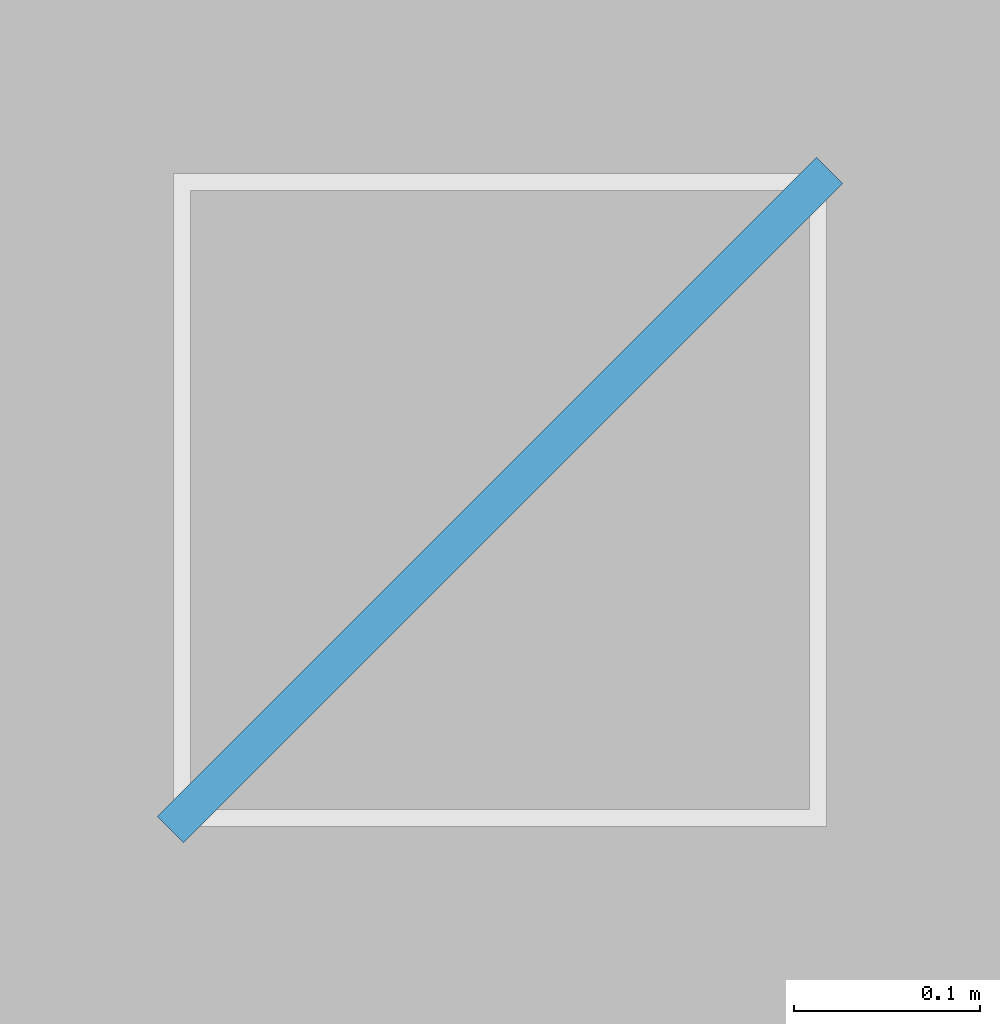
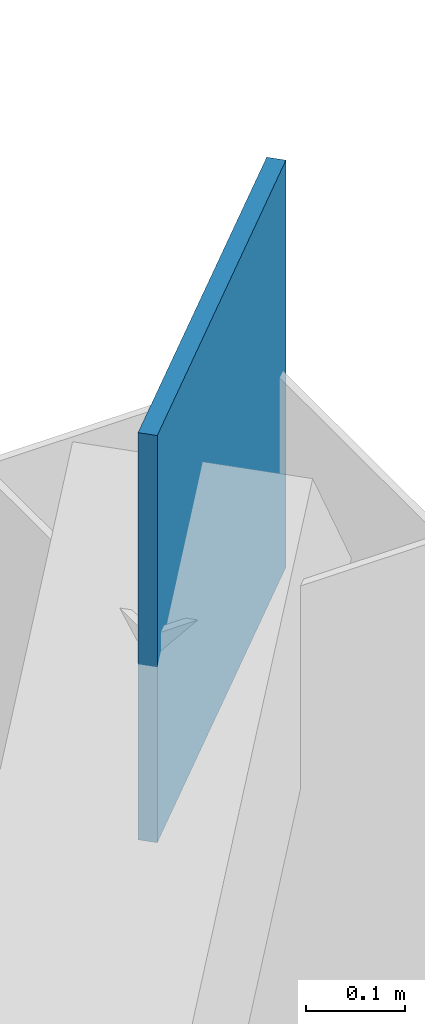
# One storey, part 146 of 163: 1 discrete accessory.
"""IFC4 building model written with IfcOpenShell, lengths in metres."""

import ifcopenshell
import ifcopenshell.guid

model = None  # the IFC model being written
_history = None  # IfcOwnerHistory: only IFC2X3 demands one
_inside = {}  # id of a spatial element -> (the spatial element, [elements in it])
_under = {}  # id of a project, library or spatial element -> (it, [spatial elements below it])
_declared = {}  # id of a project -> (the project, [libraries it declares])
_typed = {}  # id of a type object -> (the type object, [elements of that type])
_made_of = {}  # id of a material, layer set ... -> (it, [elements and type objects made of it])


def new_model(schema):
    """Start an empty IFC model of exactly this schema.

    Asked for "IFC4X3", IfcOpenShell would pick the latest addendum, in which some entities
    have other attributes; the version numbers below select the first issue.
    IFC2X3 requires an IfcOwnerHistory on every rooted entity: one is made here for all.
    """
    global model, _history
    if schema == "IFC4X3":
        model = ifcopenshell.file(schema_version=(4, 3, 0, 0))
    else:
        model = ifcopenshell.file(schema=schema)
    _inside.clear()
    _under.clear()
    _declared.clear()
    _typed.clear()
    _made_of.clear()
    _history = None
    if model.schema == "IFC2X3":
        org = make("IfcOrganization", Name="unknown")
        user = make(
            "IfcPersonAndOrganization",
            ThePerson=make("IfcPerson", FamilyName="unknown"),
            TheOrganization=org,
        )
        app = make(
            "IfcApplication",
            ApplicationDeveloper=org,
            Version="unknown",
            ApplicationFullName="unknown",
            ApplicationIdentifier="unknown",
        )
        _history = make(
            "IfcOwnerHistory",
            OwningUser=user,
            OwningApplication=app,
            ChangeAction="ADDED",
            CreationDate=0,
        )
    return model


def make(cls, **values):
    """One entity of the class cls with the attributes given. An attribute that is None is left unset."""
    return model.create_entity(
        cls, **{name: value for name, value in values.items() if value is not None}
    )


def rooted(cls, **values):
    """An entity with a GlobalId (a new one), such as an element, a storey or a relation."""
    return make(cls, GlobalId=ifcopenshell.guid.new(), OwnerHistory=_history, **values)


def si_unit(unit_type, name, prefix=None):
    """IfcSIUnit, for example si_unit("LENGTHUNIT", "METRE", prefix="MILLI")."""
    return make("IfcSIUnit", UnitType=unit_type, Prefix=prefix, Name=name)


def assignment(units):
    """IfcUnitAssignment: the units of a project."""
    return None if units is None else make("IfcUnitAssignment", Units=units)


def point(xyz):
    """IfcCartesianPoint."""
    return None if xyz is None else make("IfcCartesianPoint", Coordinates=xyz)


def direction(xyz):
    """IfcDirection."""
    return None if xyz is None else make("IfcDirection", DirectionRatios=xyz)


def frame(location, z_axis=None, x_axis=None):
    """IfcAxis2Placement3D, a coordinate frame: its origin and axes. An axis left out is left unset."""
    return make(
        "IfcAxis2Placement3D",
        Location=point(location),
        Axis=direction(z_axis),
        RefDirection=direction(x_axis),
    )


def frame_2d(location, x_axis=None):
    """IfcAxis2Placement2D, a coordinate frame in the plane: its origin and x axis."""
    return make(
        "IfcAxis2Placement2D", Location=point(location), RefDirection=direction(x_axis)
    )


def origin():
    """The frame at (0, 0, 0) with its axes left unset."""
    return frame((0.0, 0.0, 0.0))


def origin_2d():
    """The frame at (0, 0) in the plane with its x axis left unset."""
    return frame_2d((0.0, 0.0))


def place(relative_to, where):
    """IfcLocalPlacement: puts the frame where relative to a parent placement (None: the world)."""
    return make(
        "IfcLocalPlacement", PlacementRelTo=relative_to, RelativePlacement=where
    )


def context(
    kind, dimensions, precision=None, world=None, true_north=None, identifier=None
):
    """IfcGeometricRepresentationContext, for example the 3D "Model" context."""
    return make(
        "IfcGeometricRepresentationContext",
        ContextIdentifier=identifier,
        ContextType=kind,
        CoordinateSpaceDimension=dimensions,
        Precision=precision,
        WorldCoordinateSystem=world,
        TrueNorth=true_north,
    )


def subcontext(parent, identifier, kind, view, scale=None):
    """IfcGeometricRepresentationSubContext, for example "Body" below "Model"."""
    return make(
        "IfcGeometricRepresentationSubContext",
        ContextIdentifier=identifier,
        ContextType=kind,
        ParentContext=parent,
        TargetScale=scale,
        TargetView=view,
    )


def project(units=None, contexts=None):
    """IfcProject with its units and contexts."""
    return rooted(
        "IfcProject",
        Name="project",
        RepresentationContexts=contexts,
        UnitsInContext=assignment(units),
    )


def spatial(cls, under=None, at=None, **own):
    """A site, building, storey or space (cls), placed at a placement, below another one or the project."""
    s = rooted(cls, ObjectPlacement=at, **own)
    if under is not None:
        _under.setdefault(under.id(), (under, []))[1].append(s)
    return s


def profile(cls, at=None, kind="AREA", **sizes):
    """A parametric profile (cls). Its sizes go by their IFC names, for example OverallWidth=200.0."""
    return make(cls, ProfileType=kind, Position=at, **sizes)


def rectangle(**sizes):
    """IfcRectangleProfileDef."""
    return profile("IfcRectangleProfileDef", **sizes)


def extrude(swept, where, along, depth):
    """IfcExtrudedAreaSolid: the profile swept, set in the frame where, extruded along a direction by depth."""
    return make(
        "IfcExtrudedAreaSolid",
        SweptArea=swept,
        Position=where,
        ExtrudedDirection=direction(along),
        Depth=depth,
    )


def shape(context_of_items, identifier, shape_type, items):
    """IfcShapeRepresentation: the items that make up one representation, for example the "Body"."""
    return make(
        "IfcShapeRepresentation",
        ContextOfItems=context_of_items,
        RepresentationIdentifier=identifier,
        RepresentationType=shape_type,
        Items=items,
    )


def material(Name=None, Category=None):
    """IfcMaterial."""
    return make("IfcMaterial", Name=Name, Category=Category)


def layer(
    of_material, thickness, ventilated=None, Name=None, Category=None, Priority=None
):
    """IfcMaterialLayer: one layer of a wall or slab, of a material (None: an air gap)."""
    return make(
        "IfcMaterialLayer",
        Material=of_material,
        LayerThickness=thickness,
        IsVentilated=ventilated,
        Name=Name,
        Category=Category,
        Priority=Priority,
    )


def layer_set(layers, Name=None):
    """IfcMaterialLayerSet."""
    return make("IfcMaterialLayerSet", MaterialLayers=layers, LayerSetName=Name)


def made_of(thing, what):
    """Note that an element or type object is made of a material, layer set ...; save() writes the relation."""
    if what is not None:
        _made_of.setdefault(what.id(), (what, []))[1].append(thing)
    return thing


def type_object(cls, material=None, **own):
    """A type object (cls), such as IfcWallType, which elements share."""
    return made_of(rooted(cls, **own), material)


def element(
    cls,
    number,
    at=None,
    inside=None,
    cuts=None,
    type_object=None,
    material=None,
    context=None,
    identifier="Body",
    shape_type=None,
    held_by="IfcProductDefinitionShape",
    body=None,
    shapes=None,
    **own,
):
    """One element of the class cls, such as IfcWall. Its Tag is "e" and its number.

    at: its placement. inside: the storey or other place that contains it. cuts: it is an
    opening in that element (IfcRelVoidsElement). A single representation is given by context,
    identifier, shape_type and body (its items); several are given by shapes. held_by: the class
    of the entity that holds the representations. save() writes the other relations.
    """
    e = rooted(cls, Tag="e%d" % number, ObjectPlacement=at, **own)
    if body is not None:
        shapes = [shape(context, identifier, shape_type, body)]
    if shapes is not None:
        e.Representation = make(held_by, Representations=shapes)
    if inside is not None:
        _inside.setdefault(inside.id(), (inside, []))[1].append(e)
    if cuts is not None:
        rooted(
            "IfcRelVoidsElement", RelatingBuildingElement=cuts, RelatedOpeningElement=e
        )
    if type_object is not None:
        _typed.setdefault(type_object.id(), (type_object, []))[1].append(e)
    return made_of(e, material)


def aggregate(whole, parts):
    """IfcRelAggregates: a whole, such as a stair, and the parts it consists of."""
    return rooted("IfcRelAggregates", RelatingObject=whole, RelatedObjects=parts)


def save(model, path):
    """Write the relations noted so far, then the file.

    IfcRelAggregates (storeys below a building ...), IfcRelContainedInSpatialStructure (elements
    in a storey), IfcRelDefinesByType, IfcRelAssociatesMaterial and IfcRelDeclares: one each for
    every whole, place, type object, material and project.
    """
    for whole, parts in _under.values():
        aggregate(whole, parts)
    for where, things in _inside.values():
        rooted(
            "IfcRelContainedInSpatialStructure",
            RelatedElements=things,
            RelatingStructure=where,
        )
    for kind, things in _typed.values():
        rooted("IfcRelDefinesByType", RelatedObjects=things, RelatingType=kind)
    for what, things in _made_of.values():
        rooted("IfcRelAssociatesMaterial", RelatedObjects=things, RelatingMaterial=what)
    for by, libraries in _declared.values():
        rooted("IfcRelDeclares", RelatingContext=by, RelatedDefinitions=libraries)
    model.write(path)


model = new_model("IFC4")

# Units and contexts
model_context = context("Model", 3, precision=1e-05, world=origin(), true_north=direction((0.0, 1.0)))
body_context = subcontext(model_context, "Body", "Model", "MODEL_VIEW")
ifc_project = project(units=[si_unit("LENGTHUNIT", "METRE"), si_unit("AREAUNIT", "SQUARE_METRE"), si_unit("VOLUMEUNIT", "CUBIC_METRE"), si_unit("PLANEANGLEUNIT", "RADIAN"), si_unit("MASSUNIT", "GRAM", prefix="KILO")], contexts=[model_context])

# Site, building, storey
site_placement = place(None, origin())
site = spatial("IfcSite", under=ifc_project, at=site_placement, CompositionType="ELEMENT")
building_placement = place(site_placement, origin())
building = spatial("IfcBuilding", under=site, at=building_placement, Name="Rain Tree Exposition and Congress Centre", CompositionType="ELEMENT")
storey_placement = place(building_placement, frame((0.0, 0.0, 10.5)))
storey = spatial("IfcBuildingStorey", under=building, at=storey_placement, Name="L02", CompositionType="ELEMENT", Elevation=10.5)

# Discrete accessory
ifc_material = material(Name="Steel plate S355J2", Category="steel")
ifc_layer = layer(ifc_material, 0.02001953125)
ifc_layer_set = layer_set([ifc_layer], Name="Steel plate S355J2")
discrete_accessory_type = type_object("IfcDiscreteAccessoryType", Name="Brace node plate 500x500x20", PredefinedType="BRACKET", material=ifc_layer_set)
discrete_accessory_placement = place(storey_placement, frame((126.0, 201.60009765625, 7.10009765625), z_axis=(0.0, 0.0, 1.0), x_axis=(-0.707106781187, -0.707106781187, 0.0)))
element("IfcDiscreteAccessory", 1, at=discrete_accessory_placement, inside=storey, type_object=discrete_accessory_type, Name="Brace node plate 500", PredefinedType="BRACKET", context=body_context, shape_type="SweptSolid", body=[
    extrude(rectangle(XDim=0.5, YDim=0.02001953125, at=origin_2d()), origin(), (0.0, 0.0, 1.0), 0.5),
])

save(model, "model.ifc")
